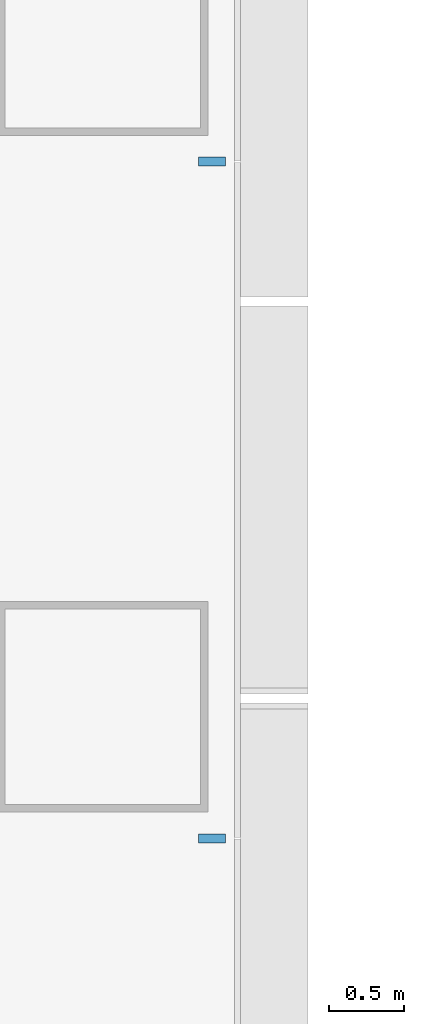
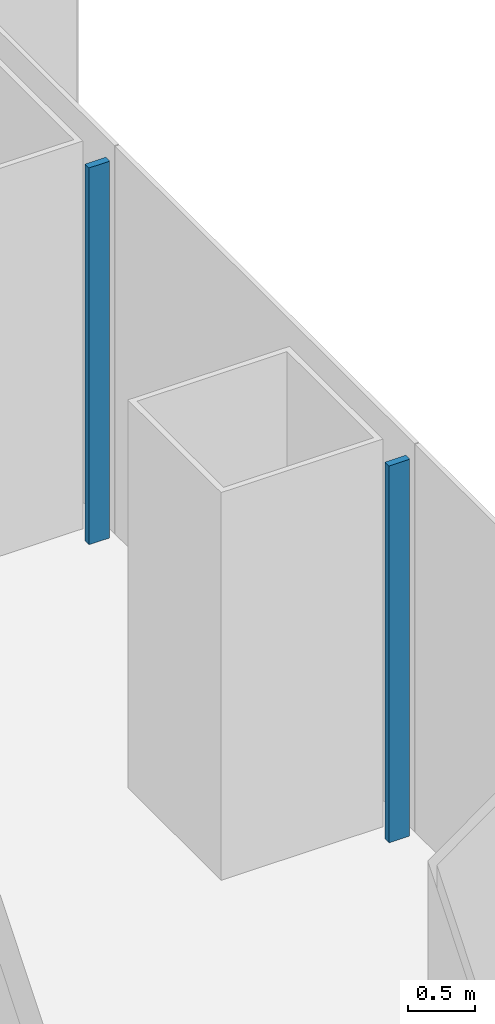
# One storey, part 8 of 21: 2 members, 1 element without a shape of its own.
"""IFC4 building model written with IfcOpenShell, lengths in metres."""

from ifc_helpers import new_model, si_unit, direction, frame, origin, origin_2d, place, context, subcontext, project, spatial, rectangle, extrude, material, layer, layer_set, material_profile, profile_set, type_object, element, aggregate, save


model = new_model("IFC4")

# Units and contexts
model_context = context("Model", 3, precision=1e-05, world=origin(), true_north=direction((0.0, 1.0)))
body_context = subcontext(model_context, "Body", "Model", "MODEL_VIEW")
ifc_project = project(units=[si_unit("LENGTHUNIT", "METRE"), si_unit("AREAUNIT", "SQUARE_METRE"), si_unit("VOLUMEUNIT", "CUBIC_METRE"), si_unit("PLANEANGLEUNIT", "RADIAN"), si_unit("MASSUNIT", "GRAM", prefix="KILO")], contexts=[model_context])

# Site, building, storey
site_placement = place(None, origin())
site = spatial("IfcSite", under=ifc_project, at=site_placement, CompositionType="ELEMENT")
building_placement = place(site_placement, origin())
building = spatial("IfcBuilding", under=site, at=building_placement, Name="Shamsa Quay Exchange Towers", CompositionType="ELEMENT")
storey_placement = place(building_placement, frame((0.0, 0.0, 57.60009765625)))
storey = spatial("IfcBuildingStorey", under=building, at=storey_placement, Name="L12", CompositionType="ELEMENT", Elevation=57.60009765625)

# Curtain wall, members
ifc_material = material(Name="Aluminium EN AW-6063 T6, black anodised", Category="aluminium")
ifc_layer = layer(ifc_material, 0.280029296875)
ifc_layer_set = layer_set([ifc_layer], Name="CW-1 UNITISED VISION GLASS")
curtain_wall_type = type_object("IfcCurtainWallType", Name="CW-1 UNITISED VISION GLASS", PredefinedType="NOTDEFINED", material=ifc_layer_set)
curtain_wall_placement = place(storey_placement, origin())
curtain_wall = element("IfcCurtainWall", 1, at=curtain_wall_placement, inside=storey, type_object=curtain_wall_type, Name="CW1 T2-FLK-U-S L12", PredefinedType="NOTDEFINED")
ifc_material_profile = material_profile(ifc_material, rectangle(XDim=0.179931640625, YDim=0.06005859375, at=origin_2d()), Name="MU60x180")
ifc_profile_set = profile_set([ifc_material_profile], Name="Aluminium EN AW-6063 T6, black anodised")
member_type = type_object("IfcMemberType", Name="CW1 MULLION 60x180", PredefinedType="MULLION", material=ifc_profile_set)
member_1_placement = place(storey_placement, frame((40.35009765625, -20.25, 0.0), z_axis=(0.0, 0.0, 1.0), x_axis=(-1.0, 0.0, 0.0)))
member_1 = element("IfcMember", 2, at=member_1_placement, type_object=member_type, Name="CW1 mullion", PredefinedType="MULLION", context=body_context, shape_type="SweptSolid", body=[
    extrude(rectangle(XDim=0.179931640625, YDim=0.06005859375, at=origin_2d()), origin(), (0.0, 0.0, 1.0), 3.449951171875),
])
member_2_placement = place(storey_placement, frame((40.35009765625, -15.75, 0.0), z_axis=(0.0, 0.0, 1.0), x_axis=(-1.0, 0.0, 0.0)))
member_2 = element("IfcMember", 3, at=member_2_placement, type_object=member_type, Name="CW1 mullion", PredefinedType="MULLION", context=body_context, shape_type="SweptSolid", body=[
    extrude(rectangle(XDim=0.179931640625, YDim=0.06005859375, at=origin_2d()), origin(), (0.0, 0.0, 1.0), 3.449951171875),
])
aggregate(curtain_wall, [member_1, member_2])

save(model, "model.ifc")
